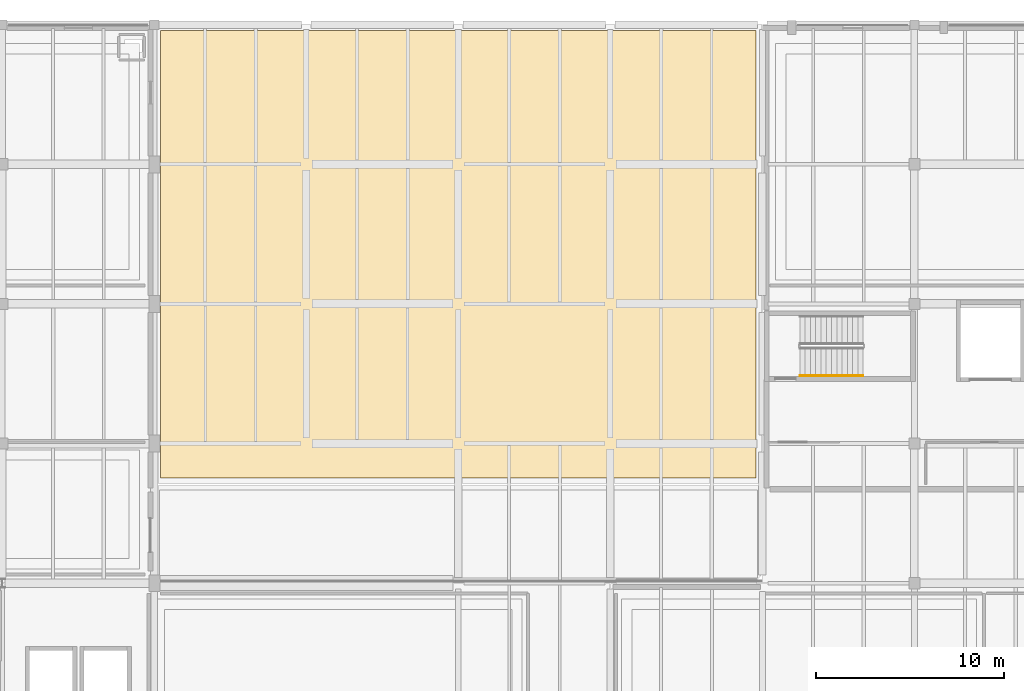
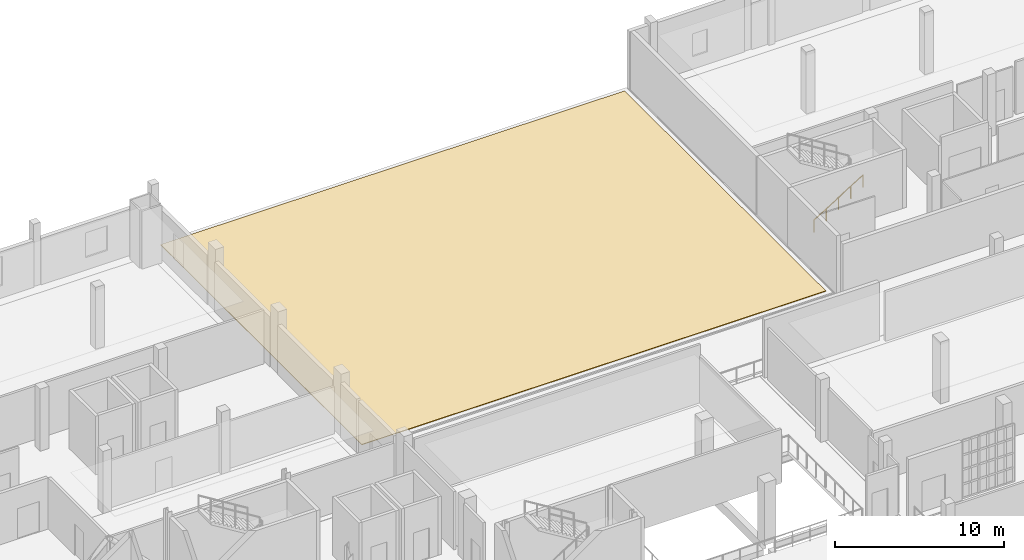
# One storey, part 71 of 73: 1 covering, 1 railing.
"""IFC4 building model written with IfcOpenShell, lengths in metres."""

from ifc_helpers import new_model, si_unit, direction, frame, origin, origin_2d, place, context, subcontext, project, spatial, polyline, circle, outline, extrude, material, layer, layer_set, type_object, element, save


model = new_model("IFC4")

# Units and contexts
model_context = context("Model", 3, precision=1e-05, world=origin(), true_north=direction((0.0, 1.0)))
body_context = subcontext(model_context, "Body", "Model", "MODEL_VIEW")
ifc_project = project(units=[si_unit("LENGTHUNIT", "METRE"), si_unit("AREAUNIT", "SQUARE_METRE"), si_unit("VOLUMEUNIT", "CUBIC_METRE"), si_unit("PLANEANGLEUNIT", "RADIAN"), si_unit("MASSUNIT", "GRAM", prefix="KILO")], contexts=[model_context])

# Site, building, storey
site_placement = place(None, origin())
site = spatial("IfcSite", under=ifc_project, at=site_placement, CompositionType="ELEMENT")
building_placement = place(site_placement, origin())
building = spatial("IfcBuilding", under=site, at=building_placement, Name="Kaelora Sail Theatre", CompositionType="ELEMENT")
storey_placement = place(building_placement, frame((0.0, 0.0, 10.199951171875)))
storey = spatial("IfcBuildingStorey", under=building, at=storey_placement, Name="L02", CompositionType="ELEMENT", Elevation=10.199951171875)

# Covering
ifc_material_1 = material(Name="Standing-seam titanium-zinc and TPO membrane", Category="metal")
ifc_layer = layer(ifc_material_1, 0.044921875)
ifc_layer_set = layer_set([ifc_layer], Name="Standing-seam titanium-zinc and TPO membrane")
covering_type = type_object("IfcCoveringType", Name="ARC-COV-RFM", PredefinedType="ROOFING", material=ifc_layer_set)
covering_placement = place(storey_placement, origin())
element("IfcCovering", 1, at=covering_placement, inside=storey, type_object=covering_type, Name="Standing-seam titanium-zinc roofing NW3", PredefinedType="ROOFING", context=body_context, shape_type="SweptSolid", body=[
    extrude(outline(polyline([(66.6298828125, 88.949951171875), (98.3701171875, 88.949951171875), (98.3701171875, 112.800048828125), (66.6298828125, 112.800048828125), (66.6298828125, 88.949951171875)])), origin(), (0.0, 0.0, 1.0), 0.045166015625),
])

# Railing
ifc_material_2 = material(Name="Brushed stainless steel 316L tubular handrail", Category="steel")
railing_type = type_object("IfcRailingType", Name="ARC-RL-HND", PredefinedType="HANDRAIL", material=ifc_material_2)
railing_placement = place(storey_placement, frame((100.699951171875, 94.39990234375, 0.173095703125)))
element("IfcRailing", 2, at=railing_placement, inside=storey, type_object=railing_type, Name="L02 ST-K4 stair handrail 1", PredefinedType="HANDRAIL", context=body_context, shape_type="SweptSolid", body=[
    extrude(circle(Radius=0.02392578125, at=origin_2d()), frame((0.0, 0.0, 0.8759765625), z_axis=(0.850623216509, 0.0, 0.525775754039), x_axis=(0.0, 1.0, 0.0)), (0.0, 0.0, 1.0), 3.9501953125),
    extrude(circle(Radius=0.02099609375, at=origin_2d()), origin(), (0.0, 0.0, 1.0), 0.851806640625),
    extrude(circle(Radius=0.02099609375, at=origin_2d()), frame((0.840087890625, 0.0, 0.519287109375)), (0.0, 0.0, 1.0), 0.851806640625),
    extrude(circle(Radius=0.02099609375, at=origin_2d()), frame((1.68017578125, 0.0, 1.03857421875)), (0.0, 0.0, 1.0), 0.851806640625),
    extrude(circle(Radius=0.02099609375, at=origin_2d()), frame((2.52001953125, 0.0, 1.5576171875)), (0.0, 0.0, 1.0), 0.851806640625),
    extrude(circle(Radius=0.02099609375, at=origin_2d()), frame((3.360107421875, 0.0, 2.076904296875)), (0.0, 0.0, 1.0), 0.851806640625),
])

save(model, "model.ifc")
